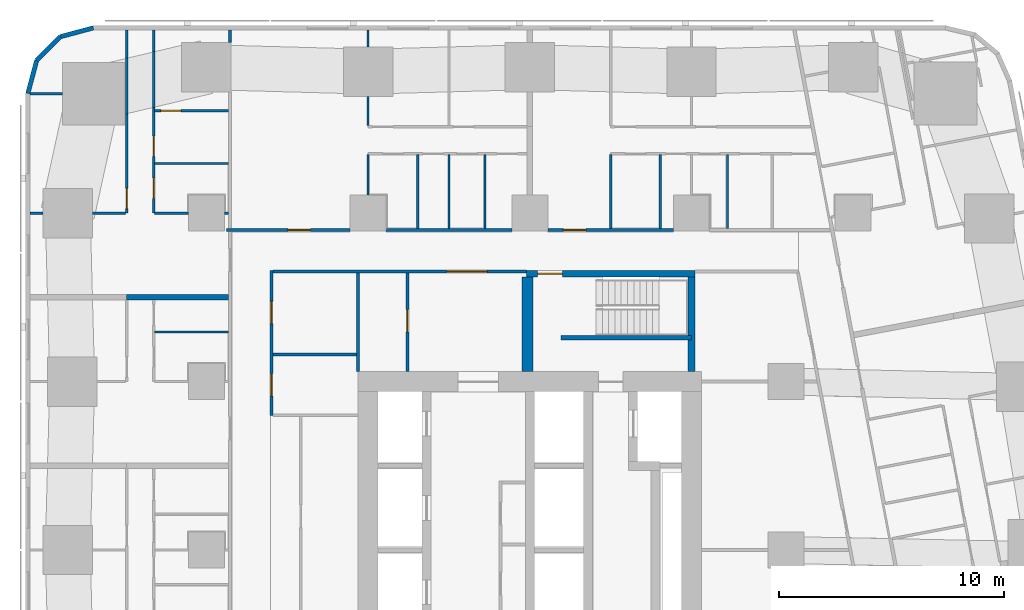
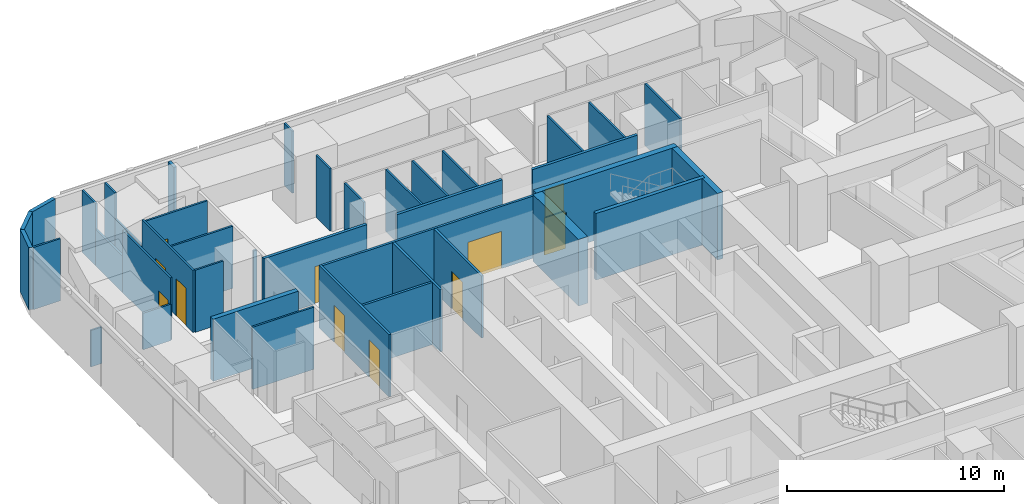
# One storey, part 8 of 15: 40 walls, 11 doors, 11 openings.
"""IFC4 building model written with IfcOpenShell, lengths in metres."""

from ifc_helpers import new_model, si_unit, direction, frame, frame_2d, origin, place, context, subcontext, project, spatial, rectangle, extrude, material, layer, layer_set, type_object, element, fill, save


model = new_model("IFC4")

# Units and contexts
model_context = context("Model", 3, precision=1e-05, world=origin(), true_north=direction((0.0, 1.0)))
body_context = subcontext(model_context, "Body", "Model", "MODEL_VIEW")
ifc_project = project(units=[si_unit("LENGTHUNIT", "METRE"), si_unit("AREAUNIT", "SQUARE_METRE"), si_unit("VOLUMEUNIT", "CUBIC_METRE"), si_unit("PLANEANGLEUNIT", "RADIAN"), si_unit("MASSUNIT", "GRAM", prefix="KILO")], contexts=[model_context])

# Site, building, storey
site_placement = place(None, origin())
site = spatial("IfcSite", under=ifc_project, at=site_placement, CompositionType="ELEMENT")
building_placement = place(site_placement, origin())
building = spatial("IfcBuilding", under=site, at=building_placement, Name="Sheger Commons Tower", CompositionType="ELEMENT")
storey_placement = place(building_placement, frame((0.0, 0.0, 107.89990234375)))
storey = spatial("IfcBuildingStorey", under=building, at=storey_placement, Name="L27", CompositionType="ELEMENT", Elevation=107.89990234375)

# Wall
ifc_material_1 = material(Name="Hollow concrete block masonry, skimmed both sides", Category="masonry")
ifc_layer_1 = layer(ifc_material_1, 0.14990234375)
ifc_layer_set_1 = layer_set([ifc_layer_1], Name="CORRIDOR WALL 150")
wall_type_1 = type_object("IfcWallType", Name="CORRIDOR WALL 150", PredefinedType="SOLIDWALL", material=ifc_layer_set_1)
wall_1_placement = place(storey_placement, frame((8.25, 45.10107421875, 0.0), z_axis=(0.0, 0.0, 1.0), x_axis=(0.0, 1.0, 0.0)))
element("IfcWall", 1, at=wall_1_placement, inside=storey, type_object=wall_type_1, Name="Corridor wall L27", PredefinedType="SOLIDWALL", context=body_context, shape_type="SweptSolid", body=[
    extrude(rectangle(XDim=0.548828125, YDim=0.14990234375, at=frame_2d((0.2744140625, 0.0))), origin(), (0.0, 0.0, 1.0), 3.5),
])

# Wall, opening, door
wall_2_placement = place(storey_placement, frame((8.10009765625, 36.75, 0.0), z_axis=(0.0, 0.0, 1.0), x_axis=(1.0, 0.0, 0.0)))
wall_2 = element("IfcWall", 2, at=wall_2_placement, inside=storey, type_object=wall_type_1, Name="Corridor wall L27", PredefinedType="SOLIDWALL", context=body_context, shape_type="SweptSolid", body=[
    extrude(rectangle(XDim=5.4990234375, YDim=0.14990234375, at=frame_2d((2.74951171875, 0.0))), origin(), (0.0, 0.0, 1.0), 3.5),
])
opening_1_placement = place(wall_2_placement, frame((2.72509765625, 0.0, 0.0)))
opening_1 = element("IfcOpeningElement", 3, at=opening_1_placement, cuts=wall_2, Name="Opening D1", PredefinedType="OPENING", context=body_context, shape_type="SweptSolid", body=[
    extrude(rectangle(XDim=1.0, YDim=2.10009765625, at=frame_2d((0.5, 1.050048828125))), frame((0.0, 0.0849609375, 0.0), z_axis=(0.0, -1.0, 0.0), x_axis=(1.0, 0.0, 0.0)), (0.0, 0.0, 1.0), 0.169921875),
])
ifc_material_2 = material(Name="Steel door set, fire rated", Category="steel")
door_type_1 = type_object("IfcDoorType", Name="FLAT ENTRANCE DOOR 1000x2100", OperationType="NOTDEFINED", PredefinedType="DOOR", material=ifc_material_2)
door_1_placement = place(opening_1_placement, origin())
door_1 = element("IfcDoor", 4, at=door_1_placement, inside=storey, type_object=door_type_1, Name="Flat entrance door", OperationType="SINGLE_SWING_LEFT", OverallHeight=2.10009765625, OverallWidth=1.0, PredefinedType="DOOR", context=body_context, shape_type="SweptSolid", body=[
    extrude(rectangle(XDim=1.0, YDim=2.10009765625, at=frame_2d((0.5, 1.050048828125))), frame((0.0, 0.02490234375, 0.0), z_axis=(0.0, -1.0, 0.0), x_axis=(1.0, 0.0, 0.0)), (0.0, 0.0, 1.0), 0.050048828125),
])
fill(opening_1, door_1)

# Wall
wall_3_placement = place(storey_placement, frame((15.200927734375, 36.75, 0.0), z_axis=(0.0, 0.0, 1.0), x_axis=(1.0, 0.0, 0.0)))
element("IfcWall", 5, at=wall_3_placement, inside=storey, type_object=wall_type_1, Name="Corridor wall L27", PredefinedType="SOLIDWALL", context=body_context, shape_type="SweptSolid", body=[
    extrude(rectangle(XDim=5.59814453125, YDim=0.14990234375, at=frame_2d((2.799072265625, 0.0))), origin(), (0.0, 0.0, 1.0), 3.5),
])

# Wall, opening, door
wall_4_placement = place(storey_placement, frame((22.40087890625, 36.75, 0.0), z_axis=(0.0, 0.0, 1.0), x_axis=(1.0, 0.0, 0.0)))
wall_4 = element("IfcWall", 6, at=wall_4_placement, inside=storey, type_object=wall_type_1, Name="Corridor wall L27", PredefinedType="SOLIDWALL", context=body_context, shape_type="SweptSolid", body=[
    extrude(rectangle(XDim=5.59814453125, YDim=0.14990234375, at=frame_2d((2.799072265625, 0.0))), origin(), (0.0, 0.0, 1.0), 3.5),
])
opening_2_placement = place(wall_4_placement, frame((0.698974609375, 0.0, 0.0)))
opening_2 = element("IfcOpeningElement", 7, at=opening_2_placement, cuts=wall_4, Name="Opening D1", PredefinedType="OPENING", context=body_context, shape_type="SweptSolid", body=[
    extrude(rectangle(XDim=1.0, YDim=2.10009765625, at=frame_2d((0.5, 1.050048828125))), frame((0.0, 0.0849609375, 0.0), z_axis=(0.0, -1.0, 0.0), x_axis=(1.0, 0.0, 0.0)), (0.0, 0.0, 1.0), 0.169921875),
])
door_2_placement = place(opening_2_placement, origin())
door_2 = element("IfcDoor", 8, at=door_2_placement, inside=storey, type_object=door_type_1, Name="Flat entrance door", OperationType="SINGLE_SWING_LEFT", OverallHeight=2.10009765625, OverallWidth=1.0, PredefinedType="DOOR", context=body_context, shape_type="SweptSolid", body=[
    extrude(rectangle(XDim=1.0, YDim=2.10009765625, at=frame_2d((0.5, 1.050048828125))), frame((0.0, 0.02490234375, 0.0), z_axis=(0.0, -1.0, 0.0), x_axis=(1.0, 0.0, 0.0)), (0.0, 0.0, 1.0), 0.050048828125),
])
fill(opening_2, door_2)

# Walls
ifc_material_3 = material(Name="Dense concrete block masonry, plastered both sides (separating wall between flats)", Category="masonry")
ifc_layer_2 = layer(ifc_material_3, 0.25)
ifc_layer_set_2 = layer_set([ifc_layer_2], Name="DEMISING WALL 250")
wall_type_2 = type_object("IfcWallType", Name="DEMISING WALL 250", PredefinedType="SOLIDWALL", material=ifc_layer_set_2)
wall_5_placement = place(storey_placement, frame((3.64990234375, 33.75, 0.0), z_axis=(0.0, 0.0, 1.0), x_axis=(1.0, 0.0, 0.0)))
element("IfcWall", 9, at=wall_5_placement, inside=storey, type_object=wall_type_2, Name="Demising wall L27", PredefinedType="SOLIDWALL", context=body_context, shape_type="SweptSolid", body=[
    extrude(rectangle(XDim=4.525146484375, YDim=0.25, at=frame_2d((2.2626953125, 0.0))), origin(), (0.0, 0.0, 1.0), 3.5),
])
ifc_material_4 = material(Name="Rendered concrete block masonry, dark grey", Category="masonry")
ifc_layer_3 = layer(ifc_material_4, 0.199951171875)
ifc_layer_set_3 = layer_set([ifc_layer_3], Name="FACADE WALL 200")
wall_type_3 = type_object("IfcWallType", Name="FACADE WALL 200", PredefinedType="SOLIDWALL", material=ifc_layer_set_3)
wall_6_placement = place(storey_placement, frame((2.1630859375, 45.75, 0.0), z_axis=(0.0, 0.0, 1.0), x_axis=(-0.965832000415, -0.259168954497, 0.0)))
element("IfcWall", 10, at=wall_6_placement, inside=storey, type_object=wall_type_3, Name="Facade wall L27", PredefinedType="SOLIDWALL", context=body_context, shape_type="SweptSolid", body=[
    extrude(rectangle(XDim=1.512939453125, YDim=0.199951171875, at=frame_2d((0.75634765625, 0.0))), origin(), (0.0, 0.0, 1.0), 3.5),
])
wall_7_placement = place(storey_placement, frame((0.701904296875, 45.35791015625, 0.0), z_axis=(0.0, 0.0, 1.0), x_axis=(-0.707106781187, -0.707106781187, 0.0)))
element("IfcWall", 11, at=wall_7_placement, inside=storey, type_object=wall_type_3, Name="Facade wall L27", PredefinedType="SOLIDWALL", context=body_context, shape_type="SweptSolid", body=[
    extrude(rectangle(XDim=1.498779296875, YDim=0.199951171875, at=frame_2d((0.74951171875, 0.0))), origin(), (0.0, 0.0, 1.0), 3.5),
])
wall_8_placement = place(storey_placement, frame((-0.35791015625, 44.298095703125, 0.0), z_axis=(0.0, 0.0, 1.0), x_axis=(-0.259168954497, -0.965832000415, 0.0)))
element("IfcWall", 12, at=wall_8_placement, inside=storey, type_object=wall_type_3, Name="Facade wall L27", PredefinedType="SOLIDWALL", context=body_context, shape_type="SweptSolid", body=[
    extrude(rectangle(XDim=1.512939453125, YDim=0.199951171875, at=frame_2d((0.75634765625, 0.0))), origin(), (0.0, 0.0, 1.0), 3.5),
])
ifc_material_5 = material(Name="Gypsum board on steel studs", Category="steel")
ifc_layer_4 = layer(ifc_material_5, 0.10009765625)
ifc_layer_set_4 = layer_set([ifc_layer_4], Name="PARTITION 100")
wall_type_4 = type_object("IfcWallType", Name="PARTITION 100", PredefinedType="PARTITIONING", material=ifc_layer_set_4)
wall_9_placement = place(storey_placement, frame((4.89990234375, 32.2099609375, 0.0), z_axis=(0.0, 0.0, 1.0), x_axis=(1.0, 0.0, 0.0)))
element("IfcWall", 13, at=wall_9_placement, inside=storey, type_object=wall_type_4, Name="Partition L27", PredefinedType="PARTITIONING", context=body_context, shape_type="SweptSolid", body=[
    extrude(rectangle(XDim=3.275146484375, YDim=0.10009765625, at=frame_2d((1.6376953125, 0.0))), origin(), (0.0, 0.0, 1.0), 3.5),
])

# Wall, opening, door
wall_10_placement = place(storey_placement, frame((3.64990234375, 37.5, 0.0), z_axis=(0.0, 0.0, 1.0), x_axis=(0.0, 1.0, 0.0)))
wall_10 = element("IfcWall", 14, at=wall_10_placement, inside=storey, type_object=wall_type_4, Name="Partition L27", PredefinedType="PARTITIONING", context=body_context, shape_type="SweptSolid", body=[
    extrude(rectangle(XDim=4.4150390625, YDim=0.10009765625, at=frame_2d((2.20751953125, 0.0))), origin(), (0.0, 0.0, 1.0), 3.5),
])
opening_3_placement = place(wall_10_placement, frame((0.199951171875, 0.0, 0.0)))
opening_3 = element("IfcOpeningElement", 15, at=opening_3_placement, cuts=wall_10, Name="Opening D2", PredefinedType="OPENING", context=body_context, shape_type="SweptSolid", body=[
    extrude(rectangle(XDim=0.89990234375, YDim=2.10009765625, at=frame_2d((0.449951171875, 1.050048828125))), frame((0.0, 0.06005859375, 0.0), z_axis=(0.0, -1.0, 0.0), x_axis=(1.0, 0.0, 0.0)), (0.0, 0.0, 1.0), 0.1201171875),
])
ifc_material_6 = material(Name="Timber door set", Category="wood")
door_type_2 = type_object("IfcDoorType", Name="INTERNAL DOOR 900x2100", OperationType="NOTDEFINED", PredefinedType="DOOR", material=ifc_material_6)
door_3_placement = place(opening_3_placement, origin())
door_3 = element("IfcDoor", 16, at=door_3_placement, inside=storey, type_object=door_type_2, Name="Main bedroom door", OperationType="SINGLE_SWING_LEFT", OverallHeight=2.10009765625, OverallWidth=0.89990234375, PredefinedType="DOOR", context=body_context, shape_type="SweptSolid", body=[
    extrude(rectangle(XDim=0.89990234375, YDim=2.10009765625, at=frame_2d((0.449951171875, 1.050048828125))), frame((0.0, 0.02490234375, 0.0), z_axis=(0.0, -1.0, 0.0), x_axis=(1.0, 0.0, 0.0)), (0.0, 0.0, 1.0), 0.050048828125),
])
fill(opening_3, door_3)

# Walls
wall_11_placement = place(storey_placement, frame((3.64990234375, 41.9150390625, 0.0), z_axis=(0.0, 0.0, 1.0), x_axis=(0.0, 1.0, 0.0)))
element("IfcWall", 17, at=wall_11_placement, inside=storey, type_object=wall_type_4, Name="Partition L27", PredefinedType="PARTITIONING", context=body_context, shape_type="SweptSolid", body=[
    extrude(rectangle(XDim=2.489990234375, YDim=0.10009765625, at=frame_2d((1.2451171875, 0.0))), origin(), (0.0, 0.0, 1.0), 2.050048828125),
])
wall_12_placement = place(storey_placement, frame((3.64990234375, 44.405029296875, 0.0), z_axis=(0.0, 0.0, 1.0), x_axis=(0.0, 1.0, 0.0)))
element("IfcWall", 18, at=wall_12_placement, inside=storey, type_object=wall_type_4, Name="Partition L27", PredefinedType="PARTITIONING", context=body_context, shape_type="SweptSolid", body=[
    extrude(rectangle(XDim=1.244873046875, YDim=0.10009765625, at=frame_2d((0.62255859375, 0.0))), origin(), (0.0, 0.0, 1.0), 3.5),
])

# Wall, openings, doors
wall_13_placement = place(storey_placement, frame((4.85009765625, 37.5, 0.0), z_axis=(0.0, 0.0, 1.0), x_axis=(0.0, 1.0, 0.0)))
wall_13 = element("IfcWall", 19, at=wall_13_placement, inside=storey, type_object=wall_type_4, Name="Partition L27", PredefinedType="PARTITIONING", context=body_context, shape_type="SweptSolid", body=[
    extrude(rectangle(XDim=4.698974609375, YDim=0.10009765625, at=frame_2d((2.349609375, 0.0))), origin(), (0.0, 0.0, 1.0), 3.5),
])
opening_4_placement = place(wall_13_placement, frame((0.655029296875, 0.0, 0.0)))
opening_4 = element("IfcOpeningElement", 20, at=opening_4_placement, cuts=wall_13, Name="Opening D2", PredefinedType="OPENING", context=body_context, shape_type="SweptSolid", body=[
    extrude(rectangle(XDim=0.89990234375, YDim=2.10009765625, at=frame_2d((0.449951171875, 1.050048828125))), frame((0.0, 0.06005859375, 0.0), z_axis=(0.0, -1.0, 0.0), x_axis=(1.0, 0.0, 0.0)), (0.0, 0.0, 1.0), 0.1201171875),
])
opening_5_placement = place(wall_13_placement, frame((2.530029296875, 0.0, 0.0)))
opening_5 = element("IfcOpeningElement", 21, at=opening_5_placement, cuts=wall_13, Name="Opening D2", PredefinedType="OPENING", context=body_context, shape_type="SweptSolid", body=[
    extrude(rectangle(XDim=0.89990234375, YDim=2.10009765625, at=frame_2d((0.449951171875, 1.050048828125))), frame((0.0, 0.06005859375, 0.0), z_axis=(0.0, -1.0, 0.0), x_axis=(1.0, 0.0, 0.0)), (0.0, 0.0, 1.0), 0.1201171875),
])
door_4_placement = place(opening_4_placement, origin())
door_4 = element("IfcDoor", 22, at=door_4_placement, inside=storey, type_object=door_type_2, Name="Bathroom door", OperationType="SINGLE_SWING_RIGHT", OverallHeight=2.10009765625, OverallWidth=0.89990234375, PredefinedType="DOOR", context=body_context, shape_type="SweptSolid", body=[
    extrude(rectangle(XDim=0.89990234375, YDim=2.10009765625, at=frame_2d((0.449951171875, 1.050048828125))), frame((0.0, 0.02490234375, 0.0), z_axis=(0.0, -1.0, 0.0), x_axis=(1.0, 0.0, 0.0)), (0.0, 0.0, 1.0), 0.050048828125),
])
fill(opening_4, door_4)
door_5_placement = place(opening_5_placement, origin())
door_5 = element("IfcDoor", 23, at=door_5_placement, inside=storey, type_object=door_type_2, Name="Store door", OperationType="SINGLE_SWING_RIGHT", OverallHeight=2.10009765625, OverallWidth=0.89990234375, PredefinedType="DOOR", context=body_context, shape_type="SweptSolid", body=[
    extrude(rectangle(XDim=0.89990234375, YDim=2.10009765625, at=frame_2d((0.449951171875, 1.050048828125))), frame((0.0, 0.02490234375, 0.0), z_axis=(0.0, -1.0, 0.0), x_axis=(1.0, 0.0, 0.0)), (0.0, 0.0, 1.0), 0.050048828125),
])
fill(opening_5, door_5)

# Walls
wall_14_placement = place(storey_placement, frame((4.85009765625, 42.198974609375, 0.0), z_axis=(0.0, 0.0, 1.0), x_axis=(0.0, 1.0, 0.0)))
element("IfcWall", 24, at=wall_14_placement, inside=storey, type_object=wall_type_4, Name="Partition L27", PredefinedType="PARTITIONING", context=body_context, shape_type="SweptSolid", body=[
    extrude(rectangle(XDim=2.489990234375, YDim=0.10009765625, at=frame_2d((1.2451171875, 0.0))), origin(), (0.0, 0.0, 1.0), 2.050048828125),
])
wall_15_placement = place(storey_placement, frame((4.85009765625, 44.68896484375, 0.0), z_axis=(0.0, 0.0, 1.0), x_axis=(0.0, 1.0, 0.0)))
element("IfcWall", 25, at=wall_15_placement, inside=storey, type_object=wall_type_4, Name="Partition L27", PredefinedType="PARTITIONING", context=body_context, shape_type="SweptSolid", body=[
    extrude(rectangle(XDim=0.9609375, YDim=0.10009765625, at=frame_2d((0.48046875, 0.0))), origin(), (0.0, 0.0, 1.0), 3.5),
])
wall_16_placement = place(storey_placement, frame((-0.64990234375, 37.5, 0.0), z_axis=(0.0, 0.0, 1.0), x_axis=(1.0, 0.0, 0.0)))
element("IfcWall", 26, at=wall_16_placement, inside=storey, type_object=wall_type_4, Name="Partition L27", PredefinedType="PARTITIONING", context=body_context, shape_type="SweptSolid", body=[
    extrude(rectangle(XDim=0.573974609375, YDim=0.10009765625, at=frame_2d((0.287109375, 0.0))), origin(), (0.0, 0.0, 1.0), 2.050048828125),
])
wall_17_placement = place(storey_placement, frame((2.1259765625, 37.5, 0.0), z_axis=(0.0, 0.0, 1.0), x_axis=(1.0, 0.0, 0.0)))
element("IfcWall", 27, at=wall_17_placement, inside=storey, type_object=wall_type_4, Name="Partition L27", PredefinedType="PARTITIONING", context=body_context, shape_type="SweptSolid", body=[
    extrude(rectangle(XDim=1.47412109375, YDim=0.10009765625, at=frame_2d((0.737060546875, 0.0))), origin(), (0.0, 0.0, 1.0), 2.050048828125),
])
wall_18_placement = place(storey_placement, frame((-0.64990234375, 42.81396484375, 0.0), z_axis=(0.0, 0.0, 1.0), x_axis=(1.0, 0.0, 0.0)))
element("IfcWall", 28, at=wall_18_placement, inside=storey, type_object=wall_type_4, Name="Partition L27", PredefinedType="PARTITIONING", context=body_context, shape_type="SweptSolid", body=[
    extrude(rectangle(XDim=1.434814453125, YDim=0.10009765625, at=frame_2d((0.71728515625, 0.0))), origin(), (0.0, 0.0, 1.0), 3.5),
])
wall_19_placement = place(storey_placement, frame((4.89990234375, 37.5, 0.0), z_axis=(0.0, 0.0, 1.0), x_axis=(1.0, 0.0, 0.0)))
element("IfcWall", 29, at=wall_19_placement, inside=storey, type_object=wall_type_4, Name="Partition L27", PredefinedType="PARTITIONING", context=body_context, shape_type="SweptSolid", body=[
    extrude(rectangle(XDim=1.4990234375, YDim=0.10009765625, at=frame_2d((0.74951171875, 0.0))), origin(), (0.0, 0.0, 1.0), 3.5),
])
wall_20_placement = place(storey_placement, frame((8.0009765625, 37.5, 0.0), z_axis=(0.0, 0.0, 1.0), x_axis=(1.0, 0.0, 0.0)))
element("IfcWall", 30, at=wall_20_placement, inside=storey, type_object=wall_type_4, Name="Partition L27", PredefinedType="PARTITIONING", context=body_context, shape_type="SweptSolid", body=[
    extrude(rectangle(XDim=0.174072265625, YDim=0.10009765625, at=frame_2d((0.0869140625, 0.0))), origin(), (0.0, 0.0, 1.0), 3.5),
])
wall_21_placement = place(storey_placement, frame((4.89990234375, 39.7099609375, 0.0), z_axis=(0.0, 0.0, 1.0), x_axis=(1.0, 0.0, 0.0)))
element("IfcWall", 31, at=wall_21_placement, inside=storey, type_object=wall_type_4, Name="Partition L27", PredefinedType="PARTITIONING", context=body_context, shape_type="SweptSolid", body=[
    extrude(rectangle(XDim=3.275146484375, YDim=0.10009765625, at=frame_2d((1.6376953125, 0.0))), origin(), (0.0, 0.0, 1.0), 3.5),
])
wall_22_placement = place(storey_placement, frame((14.39990234375, 41.39990234375, 0.0), z_axis=(0.0, 0.0, 1.0), x_axis=(0.0, 1.0, 0.0)))
element("IfcWall", 32, at=wall_22_placement, inside=storey, type_object=wall_type_4, Name="Partition L27", PredefinedType="PARTITIONING", context=body_context, shape_type="SweptSolid", body=[
    extrude(rectangle(XDim=1.299072265625, YDim=0.10009765625, at=frame_2d((0.6494140625, 0.0))), origin(), (0.0, 0.0, 1.0), 3.5),
])
wall_23_placement = place(storey_placement, frame((14.39990234375, 44.90087890625, 0.0), z_axis=(0.0, 0.0, 1.0), x_axis=(0.0, 1.0, 0.0)))
element("IfcWall", 33, at=wall_23_placement, inside=storey, type_object=wall_type_4, Name="Partition L27", PredefinedType="PARTITIONING", context=body_context, shape_type="SweptSolid", body=[
    extrude(rectangle(XDim=0.7490234375, YDim=0.10009765625, at=frame_2d((0.37451171875, 0.0))), origin(), (0.0, 0.0, 1.0), 3.5),
])
wall_24_placement = place(storey_placement, frame((14.39990234375, 38.301025390625, 0.0), z_axis=(0.0, 0.0, 1.0), x_axis=(0.0, 1.0, 0.0)))
element("IfcWall", 34, at=wall_24_placement, inside=storey, type_object=wall_type_4, Name="Partition L27", PredefinedType="PARTITIONING", context=body_context, shape_type="SweptSolid", body=[
    extrude(rectangle(XDim=1.799072265625, YDim=0.10009765625, at=frame_2d((0.8994140625, 0.0))), origin(), (0.0, 0.0, 1.0), 3.5),
])
for number, where, z_axis, x_axis, name in (
    (35, (18.0, 36.824951171875, 0.0), (0.0, 0.0, 1.0), (0.0, 1.0, 0.0), "Partition L27"),
    (36, (16.610107421875, 36.824951171875, 0.0), (0.0, 0.0, 1.0), (0.0, 1.0, 0.0), "Partition L27"),
    (37, (19.60009765625, 36.824951171875, 0.0), (0.0, 0.0, 1.0), (0.0, 1.0, 0.0), "Partition L27"),
    (38, (25.199951171875, 36.824951171875, 0.0), (0.0, 0.0, 1.0), (0.0, 1.0, 0.0), "Partition L27"),
    (39, (27.409912109375, 36.824951171875, 0.0), (0.0, 0.0, 1.0), (0.0, 1.0, 0.0), "Partition L27"),
    (40, (30.39990234375, 36.824951171875, 0.0), (0.0, 0.0, 1.0), (0.0, 1.0, 0.0), "Partition L27"),
):
    element("IfcWall", number, at=place(storey_placement, frame(where, z_axis=z_axis, x_axis=x_axis)), inside=storey, type_object=wall_type_4, Name=name, PredefinedType="PARTITIONING", context=body_context, shape_type="SweptSolid", body=[
        extrude(rectangle(XDim=3.275146484375, YDim=0.10009765625, at=frame_2d((1.6376953125, 0.0))), origin(), (0.0, 0.0, 1.0), 3.5),
    ])

# Wall, opening, door
wall_25_placement = place(storey_placement, frame((8.175048828125, 42.06005859375, 0.0), z_axis=(0.0, 0.0, 1.0), x_axis=(-1.0, 0.0, 0.0)))
wall_25 = element("IfcWall", 41, at=wall_25_placement, inside=storey, type_object=wall_type_4, Name="Partition L27", PredefinedType="PARTITIONING", context=body_context, shape_type="SweptSolid", body=[
    extrude(rectangle(XDim=3.275146484375, YDim=0.10009765625, at=frame_2d((1.6376953125, 0.0))), origin(), (0.0, 0.0, 1.0), 3.5),
])
opening_6_placement = place(wall_25_placement, frame((2.10009765625, 0.0, 0.0)))
opening_6 = element("IfcOpeningElement", 42, at=opening_6_placement, cuts=wall_25, Name="Opening D2", PredefinedType="OPENING", context=body_context, shape_type="SweptSolid", body=[
    extrude(rectangle(XDim=0.89990234375, YDim=2.10009765625, at=frame_2d((0.449951171875, 1.050048828125))), frame((0.0, 0.06005859375, 0.0), z_axis=(0.0, -1.0, 0.0), x_axis=(1.0, 0.0, 0.0)), (0.0, 0.0, 1.0), 0.1201171875),
])
door_6_placement = place(opening_6_placement, origin())
door_6 = element("IfcDoor", 43, at=door_6_placement, inside=storey, type_object=door_type_2, Name="Store door", OperationType="SINGLE_SWING_LEFT", OverallHeight=2.10009765625, OverallWidth=0.89990234375, PredefinedType="DOOR", context=body_context, shape_type="SweptSolid", body=[
    extrude(rectangle(XDim=0.89990234375, YDim=2.10009765625, at=frame_2d((0.449951171875, 1.050048828125))), frame((0.0, 0.02490234375, 0.0), z_axis=(0.0, -1.0, 0.0), x_axis=(1.0, 0.0, 0.0)), (0.0, 0.0, 1.0), 0.050048828125),
])
fill(opening_6, door_6)

# Wall, openings, doors
ifc_material_7 = material(Name="Gypsum board on steel studs, two layers each side, fire rated", Category="steel")
ifc_layer_5 = layer(ifc_material_7, 0.125)
ifc_layer_set_5 = layer_set([ifc_layer_5], Name="SERVICE WALL 125")
wall_type_5 = type_object("IfcWallType", Name="SERVICE WALL 125", PredefinedType="PARTITIONING", material=ifc_layer_set_5)
wall_26_placement = place(storey_placement, frame((10.10009765625, 28.5, 0.0), z_axis=(0.0, 0.0, 1.0), x_axis=(0.0, 1.0, 0.0)))
wall_26 = element("IfcWall", 44, at=wall_26_placement, inside=storey, type_object=wall_type_5, Name="Service room wall L27", PredefinedType="PARTITIONING", context=body_context, shape_type="SweptSolid", body=[
    extrude(rectangle(XDim=6.449951171875, YDim=0.125, at=frame_2d((3.22509765625, 0.0))), origin(), (0.0, 0.0, 1.0), 3.5),
])
opening_7_placement = place(wall_26_placement, frame((0.85009765625, 0.0, 0.0)))
opening_7 = element("IfcOpeningElement", 45, at=opening_7_placement, cuts=wall_26, Name="Opening D4", PredefinedType="OPENING", context=body_context, shape_type="SweptSolid", body=[
    extrude(rectangle(XDim=1.0, YDim=2.10009765625, at=frame_2d((0.5, 1.050048828125))), frame((0.0, 0.072509765625, 0.0), z_axis=(0.0, -1.0, 0.0), x_axis=(1.0, 0.0, 0.0)), (0.0, 0.0, 1.0), 0.14501953125),
])
opening_8_placement = place(wall_26_placement, frame((4.074951171875, 0.0, 0.0)))
opening_8 = element("IfcOpeningElement", 46, at=opening_8_placement, cuts=wall_26, Name="Opening D4", PredefinedType="OPENING", context=body_context, shape_type="SweptSolid", body=[
    extrude(rectangle(XDim=1.0, YDim=2.10009765625, at=frame_2d((0.5, 1.050048828125))), frame((0.0, 0.072509765625, 0.0), z_axis=(0.0, -1.0, 0.0), x_axis=(1.0, 0.0, 0.0)), (0.0, 0.0, 1.0), 0.14501953125),
])
ifc_material_8 = material(Name="Steel door set, fire rated", Category="steel")
door_type_3 = type_object("IfcDoorType", Name="SERVICE DOOR 1000x2100", OperationType="NOTDEFINED", PredefinedType="DOOR", material=ifc_material_8)
door_7_placement = place(opening_7_placement, origin())
door_7 = element("IfcDoor", 47, at=door_7_placement, inside=storey, type_object=door_type_3, Name="Cleaner's store door", OperationType="SINGLE_SWING_RIGHT", OverallHeight=2.10009765625, OverallWidth=1.0, PredefinedType="DOOR", context=body_context, shape_type="SweptSolid", body=[
    extrude(rectangle(XDim=1.0, YDim=2.10009765625, at=frame_2d((0.5, 1.050048828125))), frame((0.0, 0.02490234375, 0.0), z_axis=(0.0, -1.0, 0.0), x_axis=(1.0, 0.0, 0.0)), (0.0, 0.0, 1.0), 0.050048828125),
])
fill(opening_7, door_7)
door_8_placement = place(opening_8_placement, origin())
door_8 = element("IfcDoor", 48, at=door_8_placement, inside=storey, type_object=door_type_3, Name="Linen store door", OperationType="SINGLE_SWING_LEFT", OverallHeight=2.10009765625, OverallWidth=1.0, PredefinedType="DOOR", context=body_context, shape_type="SweptSolid", body=[
    extrude(rectangle(XDim=1.0, YDim=2.10009765625, at=frame_2d((0.5, 1.050048828125))), frame((0.0, 0.02490234375, 0.0), z_axis=(0.0, -1.0, 0.0), x_axis=(1.0, 0.0, 0.0)), (0.0, 0.0, 1.0), 0.050048828125),
])
fill(opening_8, door_8)

# Walls
wall_27_placement = place(storey_placement, frame((10.1630859375, 31.199951171875, 0.0), z_axis=(0.0, 0.0, 1.0), x_axis=(1.0, 0.0, 0.0)))
element("IfcWall", 49, at=wall_27_placement, inside=storey, type_object=wall_type_5, Name="Service room wall L27", PredefinedType="PARTITIONING", context=body_context, shape_type="SweptSolid", body=[
    extrude(rectangle(XDim=3.724853515625, YDim=0.125, at=frame_2d((1.8623046875, 0.0))), origin(), (0.0, 0.0, 1.0), 3.5),
])
wall_28_placement = place(storey_placement, frame((13.949951171875, 30.449951171875, 0.0), z_axis=(0.0, 0.0, 1.0), x_axis=(0.0, 1.0, 0.0)))
element("IfcWall", 50, at=wall_28_placement, inside=storey, type_object=wall_type_5, Name="Service room wall L27", PredefinedType="PARTITIONING", context=body_context, shape_type="SweptSolid", body=[
    extrude(rectangle(XDim=4.386962890625, YDim=0.125, at=frame_2d((2.193359375, 0.0))), origin(), (0.0, 0.0, 1.0), 3.5),
])

# Wall, opening, door
wall_29_placement = place(storey_placement, frame((10.1630859375, 34.89990234375, 0.0), z_axis=(0.0, 0.0, 1.0), x_axis=(1.0, 0.0, 0.0)))
wall_29 = element("IfcWall", 51, at=wall_29_placement, inside=storey, type_object=wall_type_5, Name="Service room wall L27", PredefinedType="PARTITIONING", context=body_context, shape_type="SweptSolid", body=[
    extrude(rectangle(XDim=11.286865234375, YDim=0.125, at=frame_2d((5.6435546875, 0.0))), origin(), (0.0, 0.0, 1.0), 3.5),
])
opening_9_placement = place(wall_29_placement, frame((7.737060546875, 0.0, 0.0)))
opening_9 = element("IfcOpeningElement", 52, at=opening_9_placement, cuts=wall_29, Name="Opening D6", PredefinedType="OPENING", context=body_context, shape_type="SweptSolid", body=[
    extrude(rectangle(XDim=1.800048828125, YDim=2.10009765625, at=frame_2d((0.89990234375, 1.050048828125))), frame((0.0, 0.072509765625, 0.0), z_axis=(0.0, -1.0, 0.0), x_axis=(1.0, 0.0, 0.0)), (0.0, 0.0, 1.0), 0.14501953125),
])
ifc_material_9 = material(Name="Steel door set, fire rated", Category="steel")
door_type_4 = type_object("IfcDoorType", Name="LOBBY DOUBLE DOOR 1800x2100", OperationType="DOUBLE_DOOR_SINGLE_SWING", PredefinedType="DOOR", material=ifc_material_9)
door_9_placement = place(opening_9_placement, origin())
door_9 = element("IfcDoor", 53, at=door_9_placement, inside=storey, type_object=door_type_4, Name="Lift lobby north door", OperationType="DOUBLE_DOOR_SINGLE_SWING", OverallHeight=2.10009765625, OverallWidth=1.800048828125, PredefinedType="DOOR", context=body_context, shape_type="SweptSolid", body=[
    extrude(rectangle(XDim=1.800048828125, YDim=2.10009765625, at=frame_2d((0.89990234375, 1.050048828125))), frame((0.0, 0.02490234375, 0.0), z_axis=(0.0, -1.0, 0.0), x_axis=(1.0, 0.0, 0.0)), (0.0, 0.0, 1.0), 0.050048828125),
])
fill(opening_9, door_9)

wall_30_placement = place(storey_placement, frame((16.14990234375, 30.449951171875, 0.0), z_axis=(0.0, 0.0, 1.0), x_axis=(0.0, 1.0, 0.0)))
wall_30 = element("IfcWall", 54, at=wall_30_placement, inside=storey, type_object=wall_type_5, Name="Service room wall L27", PredefinedType="PARTITIONING", context=body_context, shape_type="SweptSolid", body=[
    extrude(rectangle(XDim=4.386962890625, YDim=0.125, at=frame_2d((2.193359375, 0.0))), origin(), (0.0, 0.0, 1.0), 3.5),
])
opening_10_placement = place(wall_30_placement, frame((1.75, 0.0, 0.0)))
opening_10 = element("IfcOpeningElement", 55, at=opening_10_placement, cuts=wall_30, Name="Opening D4", PredefinedType="OPENING", context=body_context, shape_type="SweptSolid", body=[
    extrude(rectangle(XDim=1.0, YDim=2.10009765625, at=frame_2d((0.5, 1.050048828125))), frame((0.0, 0.072509765625, 0.0), z_axis=(0.0, -1.0, 0.0), x_axis=(1.0, 0.0, 0.0)), (0.0, 0.0, 1.0), 0.14501953125),
])
door_10_placement = place(opening_10_placement, origin())
door_10 = element("IfcDoor", 56, at=door_10_placement, inside=storey, type_object=door_type_3, Name="Telecom room door", OperationType="SINGLE_SWING_RIGHT", OverallHeight=2.10009765625, OverallWidth=1.0, PredefinedType="DOOR", context=body_context, shape_type="SweptSolid", body=[
    extrude(rectangle(XDim=1.0, YDim=2.10009765625, at=frame_2d((0.5, 1.050048828125))), frame((0.0, 0.02490234375, 0.0), z_axis=(0.0, -1.0, 0.0), x_axis=(1.0, 0.0, 0.0)), (0.0, 0.0, 1.0), 0.050048828125),
])
fill(opening_10, door_10)

ifc_material_10 = material(Name="Concrete C50/60", Category="concrete")
ifc_layer_6 = layer(ifc_material_10, 0.300048828125)
ifc_layer_set_6 = layer_set([ifc_layer_6], Name="STAIR CORE WALL 300")
wall_type_6 = type_object("IfcWallType", Name="STAIR CORE WALL 300", PredefinedType="SHEAR", material=ifc_layer_set_6)
wall_31_placement = place(storey_placement, frame((21.449951171875, 34.800048828125, 0.0), z_axis=(0.0, 0.0, 1.0), x_axis=(1.0, 0.0, 0.0)))
wall_31 = element("IfcWall", 57, at=wall_31_placement, inside=storey, type_object=wall_type_6, Name="STW-L27-S2N", PredefinedType="SHEAR", context=body_context, shape_type="SweptSolid", body=[
    extrude(rectangle(XDim=7.5, YDim=0.300048828125, at=frame_2d((3.75, 0.0))), origin(), (0.0, 0.0, 1.0), 3.75),
])
opening_11_placement = place(wall_31_placement, frame((0.5, 0.0, 0.0)))
opening_11 = element("IfcOpeningElement", 58, at=opening_11_placement, cuts=wall_31, Name="Opening D5", PredefinedType="OPENING", context=body_context, shape_type="SweptSolid", body=[
    extrude(rectangle(XDim=1.10009765625, YDim=2.10009765625, at=frame_2d((0.550048828125, 1.050048828125))), frame((0.0, 0.159912109375, 0.0), z_axis=(0.0, -1.0, 0.0), x_axis=(1.0, 0.0, 0.0)), (0.0, 0.0, 1.0), 0.320068359375),
])
ifc_material_11 = material(Name="Steel door set, fire rated", Category="steel")
door_type_5 = type_object("IfcDoorType", Name="STAIR DOOR 1100x2100", OperationType="NOTDEFINED", PredefinedType="DOOR", material=ifc_material_11)
door_11_placement = place(opening_11_placement, origin())
door_11 = element("IfcDoor", 59, at=door_11_placement, inside=storey, type_object=door_type_5, Name="Stair S2 door", OperationType="SINGLE_SWING_RIGHT", OverallHeight=2.10009765625, OverallWidth=1.10009765625, PredefinedType="DOOR", context=body_context, shape_type="SweptSolid", body=[
    extrude(rectangle(XDim=1.10009765625, YDim=2.10009765625, at=frame_2d((0.550048828125, 1.050048828125))), frame((0.0, 0.02490234375, 0.0), z_axis=(0.0, -1.0, 0.0), x_axis=(1.0, 0.0, 0.0)), (0.0, 0.0, 1.0), 0.050048828125),
])
fill(opening_11, door_11)

# Walls
wall_32_placement = place(storey_placement, frame((28.800048828125, 30.449951171875, 0.0), z_axis=(0.0, 0.0, 1.0), x_axis=(0.0, 1.0, 0.0)))
element("IfcWall", 60, at=wall_32_placement, inside=storey, type_object=wall_type_6, Name="STW-L27-S2E", PredefinedType="SHEAR", context=body_context, shape_type="SweptSolid", body=[
    extrude(rectangle(XDim=4.199951171875, YDim=0.300048828125, at=frame_2d((2.10009765625, 0.0))), origin(), (0.0, 0.0, 1.0), 3.75),
])
ifc_material_12 = material(Name="Concrete C50/60", Category="concrete")
ifc_layer_7 = layer(ifc_material_12, 0.5)
ifc_layer_set_7 = layer_set([ifc_layer_7], Name="STAIR CORE WALL 500")
wall_type_7 = type_object("IfcWallType", Name="STAIR CORE WALL 500", PredefinedType="SHEAR", material=ifc_layer_set_7)
wall_33_placement = place(storey_placement, frame((21.5, 30.449951171875, 0.0), z_axis=(0.0, 0.0, 1.0), x_axis=(0.0, 1.0, 0.0)))
element("IfcWall", 61, at=wall_33_placement, inside=storey, type_object=wall_type_7, Name="STW-L27-S2W", PredefinedType="SHEAR", context=body_context, shape_type="SweptSolid", body=[
    extrude(rectangle(XDim=4.199951171875, YDim=0.5, at=frame_2d((2.10009765625, 0.0))), origin(), (0.0, 0.0, 1.0), 3.75),
])
ifc_material_13 = material(Name="Concrete C50/60", Category="concrete")
ifc_layer_8 = layer(ifc_material_13, 0.199951171875)
ifc_layer_set_8 = layer_set([ifc_layer_8], Name="STAIR SPINE WALL 200")
wall_type_8 = type_object("IfcWallType", Name="STAIR SPINE WALL 200", PredefinedType="SHEAR", material=ifc_layer_set_8)
wall_34_placement = place(storey_placement, frame((23.0, 31.949951171875, 0.0), z_axis=(0.0, 0.0, 1.0), x_axis=(1.0, 0.0, 0.0)))
element("IfcWall", 62, at=wall_34_placement, inside=storey, type_object=wall_type_8, Name="Stair spine wall L27", PredefinedType="SHEAR", context=body_context, shape_type="SweptSolid", body=[
    extrude(rectangle(XDim=5.800048828125, YDim=0.199951171875, at=frame_2d((2.89990234375, 0.0))), origin(), (0.0, 0.0, 1.0), 3.75),
])

save(model, "model.ifc")
